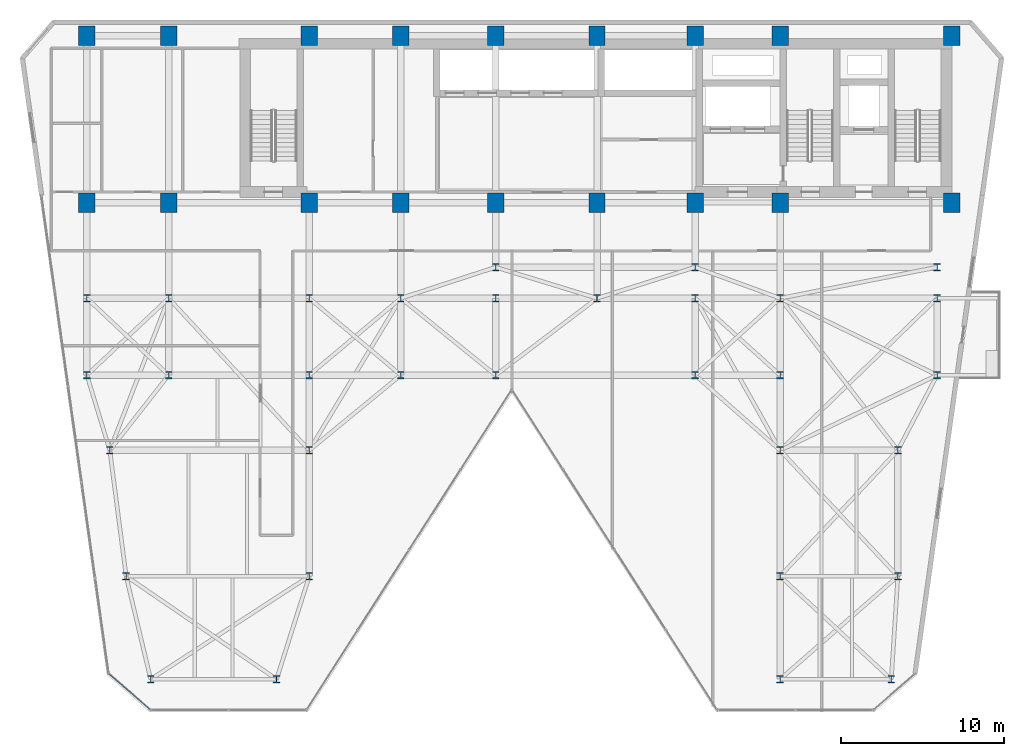
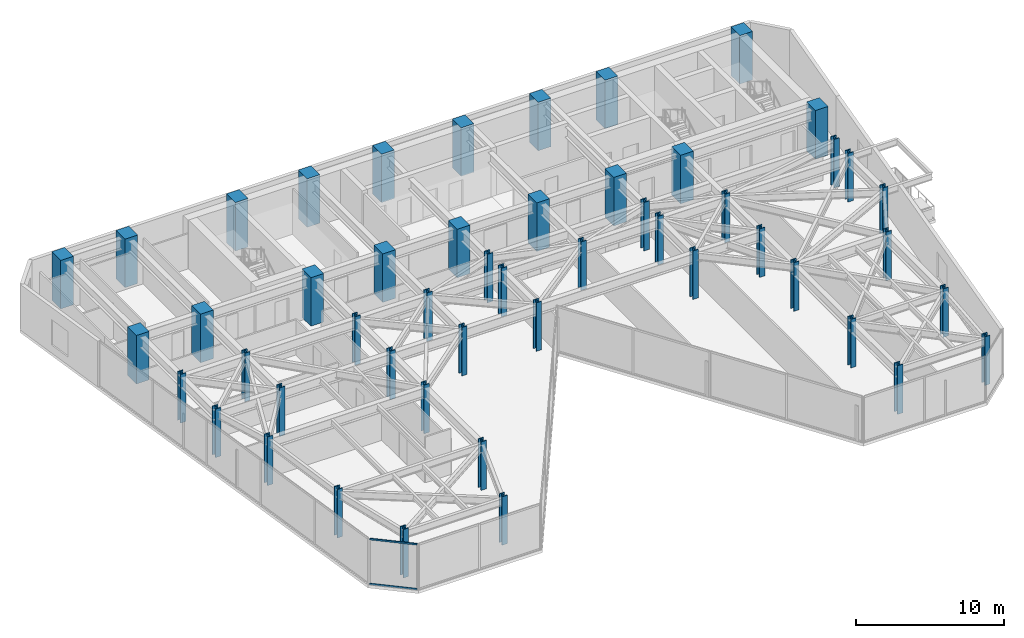
# One storey, part 1 of 26: 50 columns, 2 members, 1 element without a shape of its own.
"""IFC4 building model written with IfcOpenShell, lengths in metres."""

from ifc_helpers import new_model, si_unit, direction, frame, origin, origin_2d, place, context, subcontext, project, spatial, rectangle, hollow_rectangle, i_section, extrude, material, layer, layer_set, material_profile, profile_set, type_object, element, aggregate, save


model = new_model("IFC4")

# Units and contexts
model_context = context("Model", 3, precision=1e-05, world=origin(), true_north=direction((0.0, 1.0)))
body_context = subcontext(model_context, "Body", "Model", "MODEL_VIEW")
ifc_project = project(units=[si_unit("LENGTHUNIT", "METRE"), si_unit("AREAUNIT", "SQUARE_METRE"), si_unit("VOLUMEUNIT", "CUBIC_METRE"), si_unit("PLANEANGLEUNIT", "RADIAN"), si_unit("MASSUNIT", "GRAM", prefix="KILO")], contexts=[model_context])

# Site, building, storey
site_placement = place(None, origin())
site = spatial("IfcSite", under=ifc_project, at=site_placement, CompositionType="ELEMENT")
building_placement = place(site_placement, origin())
building = spatial("IfcBuilding", under=site, at=building_placement, Name="Kravanh Interchange Tower", CompositionType="ELEMENT")
storey_placement = place(building_placement, frame((0.0, 0.0, 136.0)))
storey = spatial("IfcBuildingStorey", under=building, at=storey_placement, Name="L32", CompositionType="ELEMENT", Elevation=136.0)

# Columns
ifc_material_1 = material(Name="Concrete C70/85", Category="concrete")
ifc_material_profile_1 = material_profile(ifc_material_1, rectangle(XDim=1.0, YDim=1.199951171875, at=origin_2d()), Name="RC1000X1200")
ifc_profile_set_1 = profile_set([ifc_material_profile_1], Name="Concrete C70/85")
column_type_1 = type_object("IfcColumnType", Name="Column RC1000X1200 Concrete C70/85", PredefinedType="COLUMN", material=ifc_profile_set_1)
for number, where, z_axis, x_axis, name in (
    (1, (66.5, 47.550048828125, 0.0), (0.0, 0.0, 1.0), (1.0, 0.0, 0.0), "L32 Column CS01"),
    (2, (56.0, 47.550048828125, 0.0), (0.0, 0.0, 1.0), (1.0, 0.0, 0.0), "L32 Column CS02"),
    (3, (66.5, 37.35009765625, 0.0), (0.0, 0.0, 1.0), (1.0, 0.0, 0.0), "L32 Column CS03"),
    (4, (56.0, 37.35009765625, 0.0), (0.0, 0.0, 1.0), (1.0, 0.0, 0.0), "L32 Column CS04"),
    (5, (50.800048828125, 47.550048828125, 0.0), (0.0, 0.0, 1.0), (1.0, 0.0, 0.0), "L32 Column CS05"),
    (6, (50.800048828125, 37.35009765625, 0.0), (0.0, 0.0, 1.0), (1.0, 0.0, 0.0), "L32 Column CS06"),
    (7, (44.800048828125, 37.35009765625, 0.0), (0.0, 0.0, 1.0), (1.0, 0.0, 0.0), "L32 Column CS07"),
    (8, (44.800048828125, 47.550048828125, 0.0), (0.0, 0.0, 1.0), (1.0, 0.0, 0.0), "L32 Column CS08"),
    (9, (38.60009765625, 37.35009765625, 0.0), (0.0, 0.0, 1.0), (1.0, 0.0, 0.0), "L32 Column CS09"),
    (10, (38.60009765625, 47.550048828125, 0.0), (0.0, 0.0, 1.0), (1.0, 0.0, 0.0), "L32 Column CS10"),
    (11, (32.800048828125, 37.35009765625, 0.0), (0.0, 0.0, 1.0), (1.0, 0.0, 0.0), "L32 Column CS11"),
    (12, (32.800048828125, 47.550048828125, 0.0), (0.0, 0.0, 1.0), (1.0, 0.0, 0.0), "L32 Column CS12"),
    (13, (27.199951171875, 37.35009765625, 0.0), (0.0, 0.0, 1.0), (1.0, 0.0, 0.0), "L32 Column CS13"),
    (14, (27.199951171875, 47.550048828125, 0.0), (0.0, 0.0, 1.0), (1.0, 0.0, 0.0), "L32 Column CS14"),
    (15, (18.60009765625, 37.35009765625, 0.0), (0.0, 0.0, 1.0), (1.0, 0.0, 0.0), "L32 Column CS17"),
    (16, (18.60009765625, 47.550048828125, 0.0), (0.0, 0.0, 1.0), (1.0, 0.0, 0.0), "L32 Column CS18"),
    (17, (13.60009765625, 37.35009765625, 0.0), (0.0, 0.0, 1.0), (1.0, 0.0, 0.0), "L32 Column CS19"),
    (18, (13.60009765625, 47.550048828125, 0.0), (0.0, 0.0, 1.0), (1.0, 0.0, 0.0), "L32 Column CS20"),
):
    element("IfcColumn", number, at=place(storey_placement, frame(where, z_axis=z_axis, x_axis=x_axis)), inside=storey, type_object=column_type_1, Name=name, PredefinedType="COLUMN", context=body_context, shape_type="SweptSolid", body=[
        extrude(rectangle(XDim=1.0, YDim=1.199951171875, at=origin_2d()), origin(), (0.0, 0.0, 1.0), 4.0),
    ])
ifc_material_2 = material(Name="Structural Steel S355", Category="steel")
ifc_material_profile_2 = material_profile(ifc_material_2, i_section(OverallWidth=0.416015625, OverallDepth=0.446044921875, WebThickness=0.0390625, FlangeThickness=0.062744140625, FilletRadius=0.030029296875, at=origin_2d()), Name="W14X342")
ifc_profile_set_2 = profile_set([ifc_material_profile_2], Name="Structural Steel S355")
column_type_2 = type_object("IfcColumnType", Name="Column W14X342 Structural Steel S355", PredefinedType="COLUMN", material=ifc_profile_set_2)
for number, where, z_axis, x_axis, name in (
    (19, (17.5, 8.199951171875, 0.0), (0.0, 0.0, 1.0), (1.0, 0.0, 0.0), "L32 Column CZ2_1"),
    (20, (13.60009765625, 26.800048828125, 0.0), (0.0, 0.0, 1.0), (1.0, 0.0, 0.0), "L32 Column CZ2_11"),
    (21, (18.60009765625, 26.800048828125, 0.0), (0.0, 0.0, 1.0), (1.0, 0.0, 0.0), "L32 Column CZ2_12"),
    (22, (27.199951171875, 26.800048828125, 0.0), (0.0, 0.0, 1.0), (1.0, 0.0, 0.0), "L32 Column CZ2_13"),
    (23, (32.800048828125, 26.800048828125, 0.0), (0.0, 0.0, 1.0), (1.0, 0.0, 0.0), "L32 Column CZ2_14"),
    (24, (38.60009765625, 26.800048828125, 0.0), (0.0, 0.0, 1.0), (1.0, 0.0, 0.0), "L32 Column CZ2_14B"),
    (25, (50.800048828125, 26.800048828125, 0.0), (0.0, 0.0, 1.0), (1.0, 0.0, 0.0), "L32 Column CZ2_15"),
    (26, (56.0, 26.800048828125, 0.0), (0.0, 0.0, 1.0), (1.0, 0.0, 0.0), "L32 Column CZ2_16"),
    (27, (65.60009765625, 26.800048828125, 0.0), (0.0, 0.0, 1.0), (1.0, 0.0, 0.0), "L32 Column CZ2_17"),
    (28, (13.60009765625, 31.5, 0.0), (0.0, 0.0, 1.0), (1.0, 0.0, 0.0), "L32 Column CZ2_18"),
    (29, (18.60009765625, 31.5, 0.0), (0.0, 0.0, 1.0), (1.0, 0.0, 0.0), "L32 Column CZ2_18B"),
    (30, (27.199951171875, 31.5, 0.0), (0.0, 0.0, 1.0), (1.0, 0.0, 0.0), "L32 Column CZ2_19"),
    (31, (25.199951171875, 8.199951171875, 0.0), (0.0, 0.0, 1.0), (1.0, 0.0, 0.0), "L32 Column CZ2_2"),
    (32, (32.800048828125, 31.5, 0.0), (0.0, 0.0, 1.0), (1.0, 0.0, 0.0), "L32 Column CZ2_20"),
    (33, (38.60009765625, 31.5, 0.0), (0.0, 0.0, 1.0), (1.0, 0.0, 0.0), "L32 Column CZ2_21"),
    (34, (44.800048828125, 31.5, 0.0), (0.0, 0.0, 1.0), (1.0, 0.0, 0.0), "L32 Column CZ2_22"),
    (35, (50.800048828125, 31.5, 0.0), (0.0, 0.0, 1.0), (1.0, 0.0, 0.0), "L32 Column CZ2_23"),
    (36, (56.0, 31.5, 0.0), (0.0, 0.0, 1.0), (1.0, 0.0, 0.0), "L32 Column CZ2_24"),
    (37, (65.60009765625, 31.5, 0.0), (0.0, 0.0, 1.0), (1.0, 0.0, 0.0), "L32 Column CZ2_25"),
    (38, (56.0, 8.199951171875, 0.0), (0.0, 0.0, 1.0), (1.0, 0.0, 0.0), "L32 Column CZ2_3"),
    (39, (62.800048828125, 8.199951171875, 0.0), (0.0, 0.0, 1.0), (1.0, 0.0, 0.0), "L32 Column CZ2_4"),
    (40, (16.0, 14.5, 0.0), (0.0, 0.0, 1.0), (1.0, 0.0, 0.0), "L32 Column CZ2_5"),
    (41, (27.199951171875, 14.5, 0.0), (0.0, 0.0, 1.0), (1.0, 0.0, 0.0), "L32 Column CZ2_5B"),
    (42, (56.0, 14.5, 0.0), (0.0, 0.0, 1.0), (1.0, 0.0, 0.0), "L32 Column CZ2_5C"),
    (43, (63.199951171875, 14.5, 0.0), (0.0, 0.0, 1.0), (1.0, 0.0, 0.0), "L32 Column CZ2_5D"),
    (44, (15.0, 22.199951171875, 0.0), (0.0, 0.0, 1.0), (1.0, 0.0, 0.0), "L32 Column CZ2_6"),
    (45, (27.199951171875, 22.199951171875, 0.0), (0.0, 0.0, 1.0), (1.0, 0.0, 0.0), "L32 Column CZ2_7"),
    (46, (56.0, 22.199951171875, 0.0), (0.0, 0.0, 1.0), (1.0, 0.0, 0.0), "L32 Column CZ2_8"),
    (47, (63.199951171875, 22.199951171875, 0.0), (0.0, 0.0, 1.0), (1.0, 0.0, 0.0), "L32 Column CZ2_9"),
    (48, (38.60009765625, 33.39990234375, 0.0), (0.0, 0.0, 1.0), (1.0, 0.0, 0.0), "L32 Column CZ2_M1"),
    (49, (50.800048828125, 33.39990234375, 0.0), (0.0, 0.0, 1.0), (1.0, 0.0, 0.0), "L32 Column CZ2_M2"),
    (50, (65.60009765625, 33.39990234375, 0.0), (0.0, 0.0, 1.0), (1.0, 0.0, 0.0), "L32 Column CZ2_M3"),
):
    element("IfcColumn", number, at=place(storey_placement, frame(where, z_axis=z_axis, x_axis=x_axis)), inside=storey, type_object=column_type_2, Name=name, PredefinedType="COLUMN", context=body_context, shape_type="SweptSolid", body=[
        extrude(i_section(OverallWidth=0.416015625, OverallDepth=0.446044921875, WebThickness=0.0390625, FlangeThickness=0.062744140625, FilletRadius=0.030029296875, at=origin_2d()), origin(), (0.0, 0.0, 1.0), 4.0),
    ])

# Curtain wall, members
ifc_material_3 = material(Name="Anodised Bronze Aluminium", Category="aluminium")
ifc_layer = layer(ifc_material_3, 0.179931640625)
ifc_layer_set = layer_set([ifc_layer], Name="Unitised Curtain Wall System CW-Z2 Mid Office")
curtain_wall_type = type_object("IfcCurtainWallType", Name="Unitised Curtain Wall System CW-Z2 Mid Office", PredefinedType="NOTDEFINED", material=ifc_layer_set)
curtain_wall_placement = place(storey_placement, origin())
curtain_wall = element("IfcCurtainWall", 51, at=curtain_wall_placement, inside=storey, type_object=curtain_wall_type, Name="L32 Unitised Curtain Wall CW-L32-07", PredefinedType="NOTDEFINED")
ifc_material_4 = material(Name="Anodised Bronze Aluminium", Category="aluminium")
ifc_material_profile_3 = material_profile(ifc_material_4, hollow_rectangle(XDim=0.06005859375, YDim=0.139892578125, WallThickness=0.00390625, at=origin_2d()), Name="ALU60X140X4")
ifc_profile_set_3 = profile_set([ifc_material_profile_3], Name="Anodised Bronze Aluminium")
member_type = type_object("IfcMemberType", Name="Curtain Wall Transom ALU60X140X4 Bronze", PredefinedType="USERDEFINED", material=ifc_profile_set_3)
member_1_placement = place(storey_placement, frame((17.444580078125, 6.359375, 0.030029296875), z_axis=(-0.754742467432, 0.656021194669, 0.0), x_axis=(-0.656021194669, -0.754742467432, 0.0)))
member_1 = element("IfcMember", 52, at=member_1_placement, type_object=member_type, Name="CW-Z2 transom 1.1", ObjectType="TRANSOM", PredefinedType="USERDEFINED", context=body_context, shape_type="SweptSolid", body=[
    extrude(hollow_rectangle(XDim=0.06005859375, YDim=0.139892578125, WallThickness=0.00390625, at=origin_2d()), origin(), (0.0, 0.0, 1.0), 3.261962890625),
])
member_2_placement = place(storey_placement, frame((17.444580078125, 6.359375, 3.719970703125), z_axis=(-0.754742467432, 0.656021194669, 0.0), x_axis=(-0.656021194669, -0.754742467432, 0.0)))
member_2 = element("IfcMember", 53, at=member_2_placement, type_object=member_type, Name="CW-Z2 transom 1.2", ObjectType="TRANSOM", PredefinedType="USERDEFINED", context=body_context, shape_type="SweptSolid", body=[
    extrude(hollow_rectangle(XDim=0.06005859375, YDim=0.139892578125, WallThickness=0.00390625, at=origin_2d()), origin(), (0.0, 0.0, 1.0), 3.261962890625),
])
aggregate(curtain_wall, [member_1, member_2])

save(model, "model.ifc")
